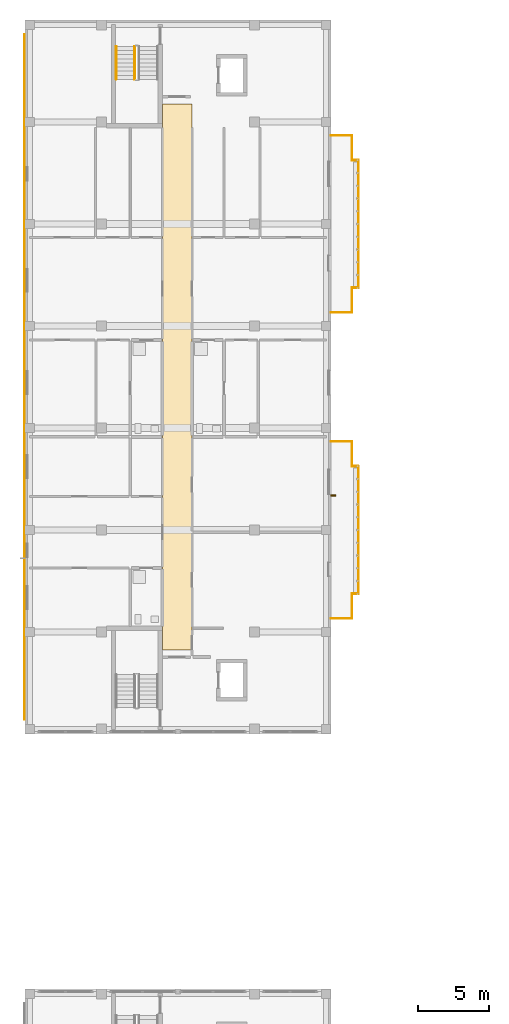
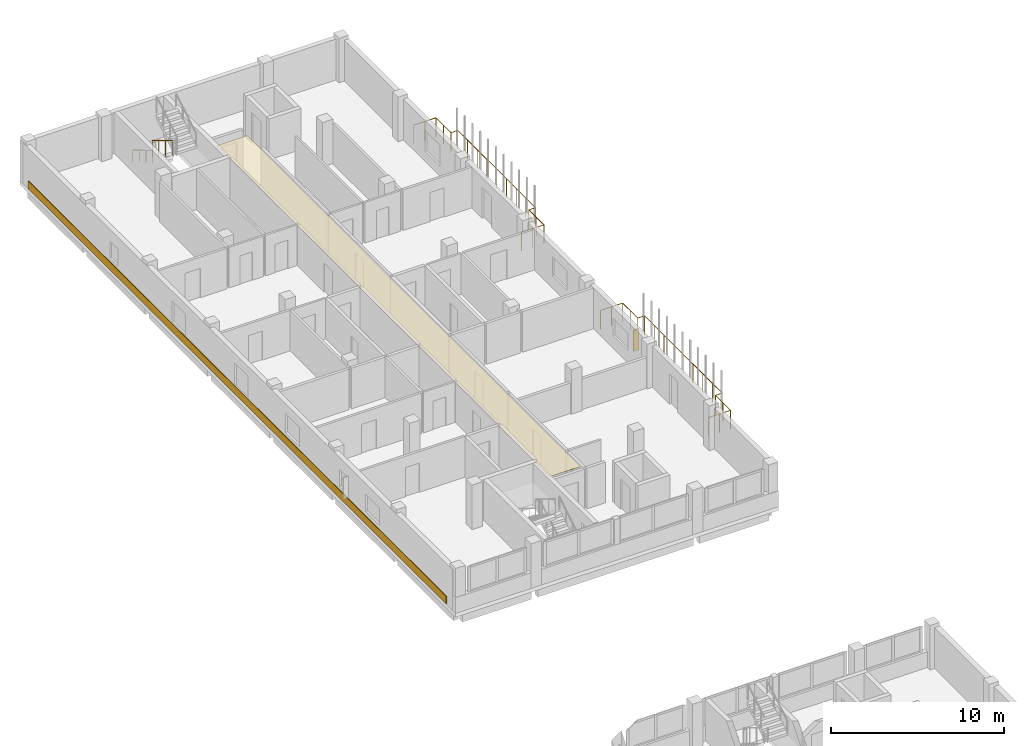
# One storey, part 48 of 56: 4 railings, 2 coverings, 1 shading device.
"""IFC4 building model written with IfcOpenShell, lengths in metres."""

from ifc_helpers import new_model, si_unit, derived_unit, direction, frame, origin, origin_2d, place, context, subcontext, project, spatial, polyline, rectangle, circle, outline, extrude, material, layer, layer_set, type_object, element, save


model = new_model("IFC4")

# Units and contexts
model_context = context("Model", 3, precision=1e-05, world=origin(), true_north=direction((0.0, 1.0)))
body_context = subcontext(model_context, "Body", "Model", "MODEL_VIEW")
ifc_project = project(units=[si_unit("LENGTHUNIT", "METRE"), si_unit("AREAUNIT", "SQUARE_METRE"), si_unit("VOLUMEUNIT", "CUBIC_METRE"), si_unit("PLANEANGLEUNIT", "RADIAN"), si_unit("MASSUNIT", "GRAM", prefix="KILO"), derived_unit("THERMALTRANSMITTANCEUNIT", [(si_unit("MASSUNIT", "GRAM", prefix="KILO"), 1), (si_unit("TIMEUNIT", "SECOND"), -3), (si_unit("THERMODYNAMICTEMPERATUREUNIT", "KELVIN"), -1)])], contexts=[model_context])

# Site, building, storey
site_placement = place(None, origin())
site = spatial("IfcSite", under=ifc_project, at=site_placement, CompositionType="ELEMENT")
building_placement = place(site_placement, origin())
building = spatial("IfcBuilding", under=site, at=building_placement, Name="Ochrekiln Boulevard Commons", CompositionType="ELEMENT")
storey_placement = place(building_placement, frame((0.0, 0.0, 12.074951171875)))
storey = spatial("IfcBuildingStorey", under=building, at=storey_placement, Name="L03", CompositionType="ELEMENT", Elevation=12.074951171875)

# Coverings
ifc_material_1 = material(Name="Mineral-fibre acoustic ceiling tile")
ifc_layer_1 = layer(ifc_material_1, 0.02490234375)
ifc_layer_set_1 = layer_set([ifc_layer_1], Name="Mineral-fibre acoustic ceiling tile")
covering_type_1 = type_object("IfcCoveringType", Name="COV-CEIL-AC", PredefinedType="CEILING", material=ifc_layer_set_1)
covering_1_placement = place(storey_placement, frame((0.0, 0.0, 2.650146484375)))
element("IfcCovering", 1, at=covering_1_placement, inside=storey, type_object=covering_type_1, Name="L03 Acoustic Corridor Ceiling 39", PredefinedType="CEILING", context=body_context, shape_type="SweptSolid", body=[
    extrude(outline(polyline([(9.719970703125, 74.320068359375), (11.780029296875, 74.320068359375), (11.780029296875, 112.8798828125), (9.719970703125, 112.8798828125), (9.719970703125, 74.320068359375)])), origin(), (0.0, 0.0, 1.0), 0.02490234375),
])
ifc_material_2 = material(Name="Glazed architectural terracotta ASTM C1405", Category="masonry")
ifc_layer_2 = layer(ifc_material_2, 0.0400390625)
ifc_layer_set_2 = layer_set([ifc_layer_2], Name="Glazed architectural terracotta ASTM C1405")
covering_type_2 = type_object("IfcCoveringType", Name="COV-CLAD-TERRA", PredefinedType="CLADDING", material=ifc_layer_set_2)
covering_2_placement = place(storey_placement, frame((-0.02001953125, 93.60009765625, 0.0751953125), z_axis=(0.0, 0.0, 1.0), x_axis=(1.0, 0.0, 0.0)))
element("IfcCovering", 2, at=covering_2_placement, inside=storey, type_object=covering_type_2, Name="Block A L03 Glazed Terracotta Spandrel Band", PredefinedType="CLADDING", context=body_context, shape_type="SweptSolid", body=[
    extrude(rectangle(XDim=0.0400390625, YDim=48.39990234375, at=origin_2d()), origin(), (0.0, 0.0, 1.0), 0.550048828125),
])

# Railings
ifc_material_3 = material(Name="Bronze-anodized extruded aluminium 6063-T6", Category="aluminium")
railing_type_1 = type_object("IfcRailingType", Name="RLG-BAL-1350", PredefinedType="BALUSTRADE", material=ifc_material_3)
railing_1_placement = place(storey_placement, frame((21.60009765625, 76.56005859375, 0.0)))
element("IfcRailing", 3, at=railing_1_placement, inside=storey, type_object=railing_type_1, Name="Block A L03 Balcony Guard Balustrade 1", PredefinedType="BALUSTRADE", context=body_context, shape_type="SweptSolid", body=[
    extrude(circle(Radius=0.02392578125, at=origin_2d()), frame((0.0, 0.0, 1.326171875), z_axis=(1.0, 0.0, 0.0), x_axis=(0.0, 1.0, 0.0)), (0.0, 0.0, 1.0), 1.489990234375),
    extrude(circle(Radius=0.02392578125, at=origin_2d()), frame((1.489990234375, 0.0, 1.326171875), z_axis=(0.0, 1.0, 0.0), x_axis=(-1.0, 0.0, 0.0)), (0.0, 0.0, 1.0), 1.739990234375),
    extrude(circle(Radius=0.02392578125, at=origin_2d()), frame((1.489990234375, 1.739990234375, 1.326171875), z_axis=(1.0, 0.0, 0.0), x_axis=(0.0, 1.0, 0.0)), (0.0, 0.0, 1.0), 0.449951171875),
    extrude(circle(Radius=0.02392578125, at=origin_2d()), frame((1.93994140625, 1.739990234375, 1.326171875), z_axis=(0.0, 1.0, 0.0), x_axis=(-1.0, 0.0, 0.0)), (0.0, 0.0, 1.0), 9.0),
    extrude(circle(Radius=0.02392578125, at=origin_2d()), frame((1.93994140625, 10.739990234375, 1.326171875), z_axis=(-1.0, 0.0, 0.0), x_axis=(0.0, -1.0, 0.0)), (0.0, 0.0, 1.0), 0.449951171875),
    extrude(circle(Radius=0.02392578125, at=origin_2d()), frame((1.489990234375, 10.739990234375, 1.326171875), z_axis=(0.0, 1.0, 0.0), x_axis=(-1.0, 0.0, 0.0)), (0.0, 0.0, 1.0), 1.739990234375),
    extrude(circle(Radius=0.02392578125, at=origin_2d()), frame((1.489990234375, 12.47998046875, 1.326171875), z_axis=(-1.0, 0.0, 0.0), x_axis=(0.0, -1.0, 0.0)), (0.0, 0.0, 1.0), 1.489990234375),
    extrude(circle(Radius=0.02099609375, at=origin_2d()), origin(), (0.0, 0.0, 1.0), 1.302001953125),
    extrude(circle(Radius=0.02099609375, at=origin_2d()), frame((0.7451171875, 0.0, 0.0)), (0.0, 0.0, 1.0), 1.302001953125),
    extrude(circle(Radius=0.02099609375, at=origin_2d()), frame((1.489990234375, 0.0, 0.0)), (0.0, 0.0, 1.0), 1.302001953125),
    extrude(circle(Radius=0.02099609375, at=origin_2d()), frame((1.489990234375, 0.8701171875, 0.0)), (0.0, 0.0, 1.0), 1.302001953125),
    extrude(circle(Radius=0.02099609375, at=origin_2d()), frame((1.489990234375, 1.739990234375, 0.0)), (0.0, 0.0, 1.0), 1.302001953125),
    extrude(circle(Radius=0.02099609375, at=origin_2d()), frame((1.93994140625, 1.739990234375, 0.0)), (0.0, 0.0, 1.0), 1.302001953125),
    extrude(circle(Radius=0.02099609375, at=origin_2d()), frame((1.93994140625, 2.864990234375, 0.0)), (0.0, 0.0, 1.0), 1.302001953125),
    extrude(circle(Radius=0.02099609375, at=origin_2d()), frame((1.93994140625, 3.989990234375, 0.0)), (0.0, 0.0, 1.0), 1.302001953125),
    extrude(circle(Radius=0.02099609375, at=origin_2d()), frame((1.93994140625, 5.114990234375, 0.0)), (0.0, 0.0, 1.0), 1.302001953125),
    extrude(circle(Radius=0.02099609375, at=origin_2d()), frame((1.93994140625, 6.239990234375, 0.0)), (0.0, 0.0, 1.0), 1.302001953125),
    extrude(circle(Radius=0.02099609375, at=origin_2d()), frame((1.93994140625, 7.364990234375, 0.0)), (0.0, 0.0, 1.0), 1.302001953125),
    extrude(circle(Radius=0.02099609375, at=origin_2d()), frame((1.93994140625, 8.489990234375, 0.0)), (0.0, 0.0, 1.0), 1.302001953125),
    extrude(circle(Radius=0.02099609375, at=origin_2d()), frame((1.93994140625, 9.614990234375, 0.0)), (0.0, 0.0, 1.0), 1.302001953125),
    extrude(circle(Radius=0.02099609375, at=origin_2d()), frame((1.93994140625, 10.739990234375, 0.0)), (0.0, 0.0, 1.0), 1.302001953125),
    extrude(circle(Radius=0.02099609375, at=origin_2d()), frame((1.489990234375, 10.739990234375, 0.0)), (0.0, 0.0, 1.0), 1.302001953125),
    extrude(circle(Radius=0.02099609375, at=origin_2d()), frame((1.489990234375, 11.60986328125, 0.0)), (0.0, 0.0, 1.0), 1.302001953125),
    extrude(circle(Radius=0.02099609375, at=origin_2d()), frame((1.489990234375, 12.47998046875, 0.0)), (0.0, 0.0, 1.0), 1.302001953125),
    extrude(circle(Radius=0.02099609375, at=origin_2d()), frame((0.7451171875, 12.47998046875, 0.0)), (0.0, 0.0, 1.0), 1.302001953125),
    extrude(circle(Radius=0.02099609375, at=origin_2d()), frame((0.0, 12.47998046875, 0.0)), (0.0, 0.0, 1.0), 1.302001953125),
])
railing_2_placement = place(storey_placement, frame((21.60009765625, 98.159912109375, 0.0)))
element("IfcRailing", 4, at=railing_2_placement, inside=storey, type_object=railing_type_1, Name="Block A L03 Balcony Guard Balustrade 2", PredefinedType="BALUSTRADE", context=body_context, shape_type="SweptSolid", body=[
    extrude(circle(Radius=0.02392578125, at=origin_2d()), frame((0.0, 0.0, 1.326171875), z_axis=(1.0, 0.0, 0.0), x_axis=(0.0, 1.0, 0.0)), (0.0, 0.0, 1.0), 1.489990234375),
    extrude(circle(Radius=0.02392578125, at=origin_2d()), frame((1.489990234375, 0.0, 1.326171875), z_axis=(0.0, 1.0, 0.0), x_axis=(-1.0, 0.0, 0.0)), (0.0, 0.0, 1.0), 1.739990234375),
    extrude(circle(Radius=0.02392578125, at=origin_2d()), frame((1.489990234375, 1.739990234375, 1.326171875), z_axis=(1.0, 0.0, 0.0), x_axis=(0.0, 1.0, 0.0)), (0.0, 0.0, 1.0), 0.449951171875),
    extrude(circle(Radius=0.02392578125, at=origin_2d()), frame((1.93994140625, 1.739990234375, 1.326171875), z_axis=(0.0, 1.0, 0.0), x_axis=(-1.0, 0.0, 0.0)), (0.0, 0.0, 1.0), 9.0),
    extrude(circle(Radius=0.02392578125, at=origin_2d()), frame((1.93994140625, 10.739990234375, 1.326171875), z_axis=(-1.0, 0.0, 0.0), x_axis=(0.0, -1.0, 0.0)), (0.0, 0.0, 1.0), 0.449951171875),
    extrude(circle(Radius=0.02392578125, at=origin_2d()), frame((1.489990234375, 10.739990234375, 1.326171875), z_axis=(0.0, 1.0, 0.0), x_axis=(-1.0, 0.0, 0.0)), (0.0, 0.0, 1.0), 1.739990234375),
    extrude(circle(Radius=0.02392578125, at=origin_2d()), frame((1.489990234375, 12.47998046875, 1.326171875), z_axis=(-1.0, 0.0, 0.0), x_axis=(0.0, -1.0, 0.0)), (0.0, 0.0, 1.0), 1.489990234375),
    extrude(circle(Radius=0.02099609375, at=origin_2d()), origin(), (0.0, 0.0, 1.0), 1.302001953125),
    extrude(circle(Radius=0.02099609375, at=origin_2d()), frame((0.7451171875, 0.0, 0.0)), (0.0, 0.0, 1.0), 1.302001953125),
    extrude(circle(Radius=0.02099609375, at=origin_2d()), frame((1.489990234375, 0.0, 0.0)), (0.0, 0.0, 1.0), 1.302001953125),
    extrude(circle(Radius=0.02099609375, at=origin_2d()), frame((1.489990234375, 0.8701171875, 0.0)), (0.0, 0.0, 1.0), 1.302001953125),
    extrude(circle(Radius=0.02099609375, at=origin_2d()), frame((1.489990234375, 1.739990234375, 0.0)), (0.0, 0.0, 1.0), 1.302001953125),
    extrude(circle(Radius=0.02099609375, at=origin_2d()), frame((1.93994140625, 1.739990234375, 0.0)), (0.0, 0.0, 1.0), 1.302001953125),
    extrude(circle(Radius=0.02099609375, at=origin_2d()), frame((1.93994140625, 2.864990234375, 0.0)), (0.0, 0.0, 1.0), 1.302001953125),
    extrude(circle(Radius=0.02099609375, at=origin_2d()), frame((1.93994140625, 3.989990234375, 0.0)), (0.0, 0.0, 1.0), 1.302001953125),
    extrude(circle(Radius=0.02099609375, at=origin_2d()), frame((1.93994140625, 5.114990234375, 0.0)), (0.0, 0.0, 1.0), 1.302001953125),
    extrude(circle(Radius=0.02099609375, at=origin_2d()), frame((1.93994140625, 6.239990234375, 0.0)), (0.0, 0.0, 1.0), 1.302001953125),
    extrude(circle(Radius=0.02099609375, at=origin_2d()), frame((1.93994140625, 7.364990234375, 0.0)), (0.0, 0.0, 1.0), 1.302001953125),
    extrude(circle(Radius=0.02099609375, at=origin_2d()), frame((1.93994140625, 8.489990234375, 0.0)), (0.0, 0.0, 1.0), 1.302001953125),
    extrude(circle(Radius=0.02099609375, at=origin_2d()), frame((1.93994140625, 9.614990234375, 0.0)), (0.0, 0.0, 1.0), 1.302001953125),
    extrude(circle(Radius=0.02099609375, at=origin_2d()), frame((1.93994140625, 10.739990234375, 0.0)), (0.0, 0.0, 1.0), 1.302001953125),
    extrude(circle(Radius=0.02099609375, at=origin_2d()), frame((1.489990234375, 10.739990234375, 0.0)), (0.0, 0.0, 1.0), 1.302001953125),
    extrude(circle(Radius=0.02099609375, at=origin_2d()), frame((1.489990234375, 11.60986328125, 0.0)), (0.0, 0.0, 1.0), 1.302001953125),
    extrude(circle(Radius=0.02099609375, at=origin_2d()), frame((1.489990234375, 12.47998046875, 0.0)), (0.0, 0.0, 1.0), 1.302001953125),
    extrude(circle(Radius=0.02099609375, at=origin_2d()), frame((0.7451171875, 12.47998046875, 0.0)), (0.0, 0.0, 1.0), 1.302001953125),
    extrude(circle(Radius=0.02099609375, at=origin_2d()), frame((0.0, 12.47998046875, 0.0)), (0.0, 0.0, 1.0), 1.302001953125),
])
ifc_material_4 = material(Name="Brushed stainless steel 316 tubular railing", Category="steel")
railing_type_2 = type_object("IfcRailingType", Name="RLG-HDR-900", PredefinedType="HANDRAIL", material=ifc_material_4)
railing_3_placement = place(storey_placement, frame((6.449951171875, 116.929931640625, 0.175048828125)))
element("IfcRailing", 5, at=railing_3_placement, inside=storey, type_object=railing_type_2, Name="L03 ST-A2 stair handrail 1", PredefinedType="HANDRAIL", context=body_context, shape_type="SweptSolid", body=[
    extrude(circle(Radius=0.02392578125, at=origin_2d()), frame((0.0, 0.0, 0.8759765625), z_axis=(0.0, -0.856186286599, 0.516667245565), x_axis=(1.0, 0.0, 0.0)), (0.0, 0.0, 1.0), 2.70947265625),
    extrude(circle(Radius=0.02099609375, at=origin_2d()), origin(), (0.0, 0.0, 1.0), 0.851806640625),
    extrude(circle(Radius=0.02099609375, at=origin_2d()), frame((0.0, -0.773193359375, 0.466552734375)), (0.0, 0.0, 1.0), 0.851806640625),
    extrude(circle(Radius=0.02099609375, at=origin_2d()), frame((0.0, -1.546630859375, 0.933349609375)), (0.0, 0.0, 1.0), 0.851806640625),
    extrude(circle(Radius=0.02099609375, at=origin_2d()), frame((0.0, -2.31982421875, 1.39990234375)), (0.0, 0.0, 1.0), 0.851806640625),
])
railing_type_3 = type_object("IfcRailingType", Name="RLG-STR-1120", PredefinedType="BALUSTRADE", material=ifc_material_4)
railing_4_placement = place(storey_placement, frame((7.75, 116.929931640625, 0.175048828125)))
element("IfcRailing", 6, at=railing_4_placement, inside=storey, type_object=railing_type_3, Name="L03 ST-A2 stair guard 1", PredefinedType="BALUSTRADE", context=body_context, shape_type="SweptSolid", body=[
    extrude(circle(Radius=0.02392578125, at=origin_2d()), frame((0.0, 0.0, 1.09619140625), z_axis=(0.0, -0.856186286599, 0.516667245565), x_axis=(1.0, 0.0, 0.0)), (0.0, 0.0, 1.0), 2.70947265625),
    extrude(circle(Radius=0.02099609375, at=origin_2d()), origin(), (0.0, 0.0, 1.0), 1.072021484375),
    extrude(circle(Radius=0.02099609375, at=origin_2d()), frame((0.0, -0.773193359375, 0.466552734375)), (0.0, 0.0, 1.0), 1.072021484375),
    extrude(circle(Radius=0.02099609375, at=origin_2d()), frame((0.0, -1.546630859375, 0.933349609375)), (0.0, 0.0, 1.0), 1.072021484375),
    extrude(circle(Radius=0.02099609375, at=origin_2d()), frame((0.0, -2.31982421875, 1.39990234375)), (0.0, 0.0, 1.0), 1.072021484375),
])

# Shading device
shading_device_type = type_object("IfcShadingDeviceType", Name="SHD-FIN-TERRA", PredefinedType="JALOUSIE", material=ifc_material_2)
shading_device_placement = place(storey_placement, frame((21.77001953125, 85.238037109375, 0.75), z_axis=(0.0, 0.0, 1.0), x_axis=(1.0, 0.0, 0.0)))
element("IfcShadingDevice", 7, at=shading_device_placement, inside=storey, type_object=shading_device_type, Name="Terracotta Solar Shading Fin SF-01 (6)", PredefinedType="JALOUSIE", context=body_context, shape_type="SweptSolid", body=[
    extrude(rectangle(XDim=0.35009765625, YDim=0.080078125, at=origin_2d()), origin(), (0.0, 0.0, 1.0), 1.5),
])

save(model, "model.ifc")
